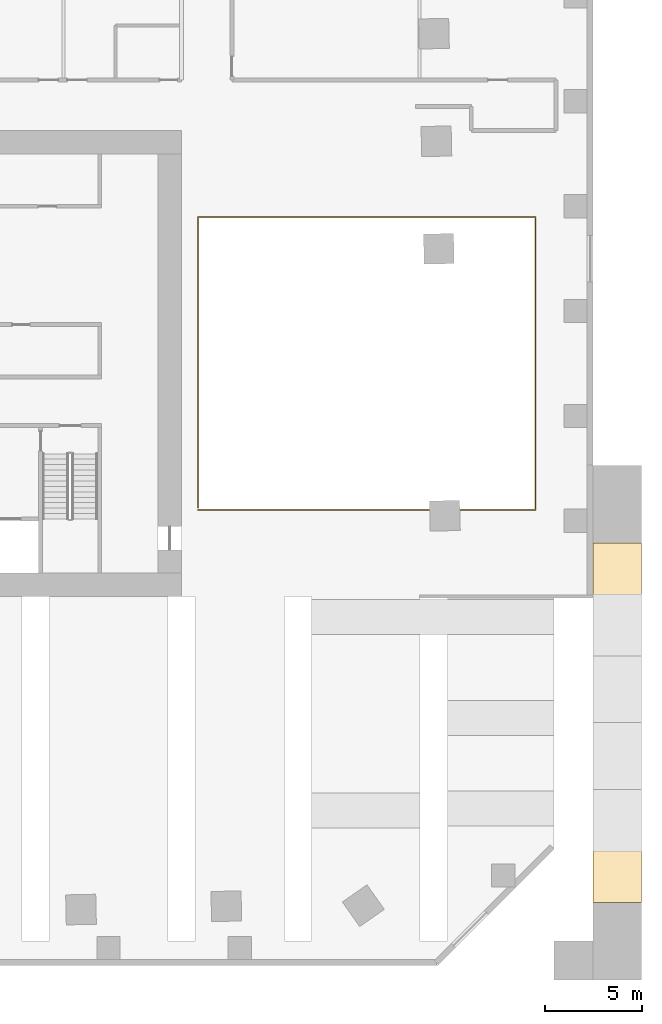
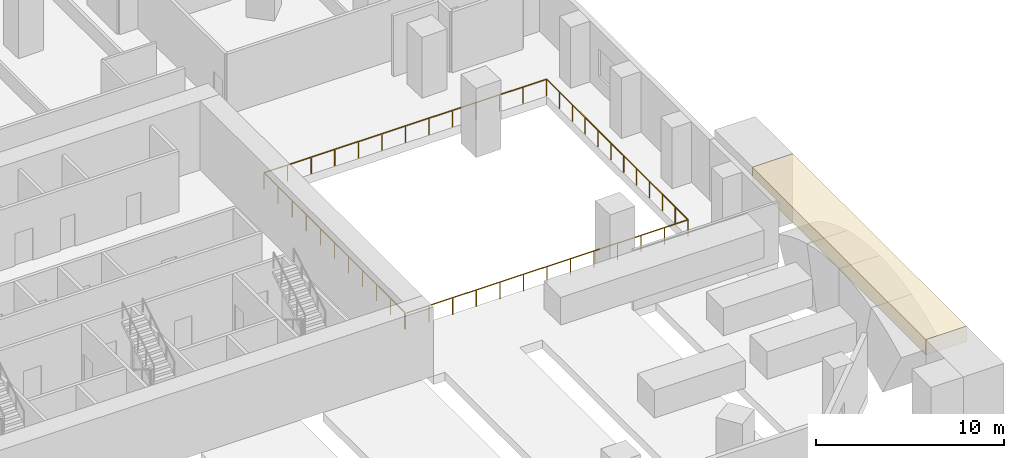
# One storey, part 13 of 13: 1 covering, 1 railing.
"""IFC4 building model written with IfcOpenShell, lengths in metres."""

from ifc_helpers import new_model, si_unit, direction, frame, frame_2d, origin, origin_2d, place, context, subcontext, project, spatial, rectangle, extrude, material, layer, layer_set, type_object, element, save


model = new_model("IFC4")

# Units and contexts
model_context = context("Model", 3, precision=1e-05, world=origin(), true_north=direction((0.0, 1.0)))
body_context = subcontext(model_context, "Body", "Model", "MODEL_VIEW")
ifc_project = project(units=[si_unit("LENGTHUNIT", "METRE"), si_unit("AREAUNIT", "SQUARE_METRE"), si_unit("VOLUMEUNIT", "CUBIC_METRE"), si_unit("PLANEANGLEUNIT", "RADIAN"), si_unit("MASSUNIT", "GRAM", prefix="KILO")], contexts=[model_context])

# Site, building, storey
site_placement = place(None, origin())
site = spatial("IfcSite", under=ifc_project, at=site_placement, CompositionType="ELEMENT")
building_placement = place(site_placement, origin())
building = spatial("IfcBuilding", under=site, at=building_placement, Name="Mangrove Gate Tower", CompositionType="ELEMENT")
storey_placement = place(building_placement, frame((0.0, 0.0, 20.5)))
storey = spatial("IfcBuildingStorey", under=building, at=storey_placement, Name="L04", CompositionType="ELEMENT", Elevation=20.5)

# Railing
ifc_material_1 = material(Name="Stainless steel grade 316 with laminated glass infill", Category="steel")
railing_type = type_object("IfcRailingType", Name="Balcony guard 1100", PredefinedType="GUARDRAIL", material=ifc_material_1)
railing_placement = place(storey_placement, frame((15.860107421875, -7.5400390625, 0.0)))
element("IfcRailing", 1, at=railing_placement, inside=storey, type_object=railing_type, Name="GUARD L04 atrium", PredefinedType="GUARDRAIL", context=body_context, shape_type="SweptSolid", body=[
    extrude(rectangle(XDim=0.048095703125, YDim=0.048095703125, at=origin_2d()), frame((0.0, 0.0, 1.076171875), z_axis=(1.0, 0.0, 0.0), x_axis=(0.0, 1.0, 0.0)), (0.0, 0.0, 1.0), 17.3798828125),
    extrude(rectangle(XDim=0.048095703125, YDim=0.048095703125, at=origin_2d()), frame((17.3798828125, 0.0, 1.076171875), z_axis=(0.0, 1.0, 0.0), x_axis=(-1.0, 0.0, 0.0)), (0.0, 0.0, 1.0), 15.080078125),
    extrude(rectangle(XDim=0.048095703125, YDim=0.048095703125, at=origin_2d()), frame((17.3798828125, 15.080078125, 1.076171875), z_axis=(-1.0, 0.0, 0.0), x_axis=(0.0, -1.0, 0.0)), (0.0, 0.0, 1.0), 17.3798828125),
    extrude(rectangle(XDim=0.048095703125, YDim=0.048095703125, at=origin_2d()), frame((0.0, 15.080078125, 1.076171875), z_axis=(0.0, -1.0, 0.0), x_axis=(1.0, 0.0, 0.0)), (0.0, 0.0, 1.0), 14.9599609375),
    extrude(rectangle(XDim=0.0419921875, YDim=0.0419921875, at=origin_2d()), origin(), (0.0, 0.0, 1.0), 1.052001953125),
    extrude(rectangle(XDim=0.0419921875, YDim=0.0419921875, at=origin_2d()), frame((1.4482421875, 0.0, 0.0)), (0.0, 0.0, 1.0), 1.052001953125),
    extrude(rectangle(XDim=0.0419921875, YDim=0.0419921875, at=origin_2d()), frame((2.896728515625, 0.0, 0.0)), (0.0, 0.0, 1.0), 1.052001953125),
    extrude(rectangle(XDim=0.0419921875, YDim=0.0419921875, at=origin_2d()), frame((4.344970703125, 0.0, 0.0)), (0.0, 0.0, 1.0), 1.052001953125),
    extrude(rectangle(XDim=0.0419921875, YDim=0.0419921875, at=origin_2d()), frame((5.793212890625, 0.0, 0.0)), (0.0, 0.0, 1.0), 1.052001953125),
    extrude(rectangle(XDim=0.0419921875, YDim=0.0419921875, at=origin_2d()), frame((7.24169921875, 0.0, 0.0)), (0.0, 0.0, 1.0), 1.052001953125),
    extrude(rectangle(XDim=0.0419921875, YDim=0.0419921875, at=origin_2d()), frame((8.68994140625, 0.0, 0.0)), (0.0, 0.0, 1.0), 1.052001953125),
    extrude(rectangle(XDim=0.0419921875, YDim=0.0419921875, at=origin_2d()), frame((10.13818359375, 0.0, 0.0)), (0.0, 0.0, 1.0), 1.052001953125),
    extrude(rectangle(XDim=0.0419921875, YDim=0.0419921875, at=origin_2d()), frame((11.586669921875, 0.0, 0.0)), (0.0, 0.0, 1.0), 1.052001953125),
    extrude(rectangle(XDim=0.0419921875, YDim=0.0419921875, at=origin_2d()), frame((13.034912109375, 0.0, 0.0)), (0.0, 0.0, 1.0), 1.052001953125),
    extrude(rectangle(XDim=0.0419921875, YDim=0.0419921875, at=origin_2d()), frame((14.483154296875, 0.0, 0.0)), (0.0, 0.0, 1.0), 1.052001953125),
    extrude(rectangle(XDim=0.0419921875, YDim=0.0419921875, at=origin_2d()), frame((15.931640625, 0.0, 0.0)), (0.0, 0.0, 1.0), 1.052001953125),
    extrude(rectangle(XDim=0.0419921875, YDim=0.0419921875, at=origin_2d()), frame((17.3798828125, 0.0, 0.0)), (0.0, 0.0, 1.0), 1.052001953125),
    extrude(rectangle(XDim=0.0419921875, YDim=0.0419921875, at=origin_2d()), frame((17.3798828125, 1.370849609375, 0.0)), (0.0, 0.0, 1.0), 1.052001953125),
    extrude(rectangle(XDim=0.0419921875, YDim=0.0419921875, at=origin_2d()), frame((17.3798828125, 2.741943359375, 0.0)), (0.0, 0.0, 1.0), 1.052001953125),
    extrude(rectangle(XDim=0.0419921875, YDim=0.0419921875, at=origin_2d()), frame((17.3798828125, 4.11279296875, 0.0)), (0.0, 0.0, 1.0), 1.052001953125),
    extrude(rectangle(XDim=0.0419921875, YDim=0.0419921875, at=origin_2d()), frame((17.3798828125, 5.483642578125, 0.0)), (0.0, 0.0, 1.0), 1.052001953125),
    extrude(rectangle(XDim=0.0419921875, YDim=0.0419921875, at=origin_2d()), frame((17.3798828125, 6.8544921875, 0.0)), (0.0, 0.0, 1.0), 1.052001953125),
    extrude(rectangle(XDim=0.0419921875, YDim=0.0419921875, at=origin_2d()), frame((17.3798828125, 8.2255859375, 0.0)), (0.0, 0.0, 1.0), 1.052001953125),
    extrude(rectangle(XDim=0.0419921875, YDim=0.0419921875, at=origin_2d()), frame((17.3798828125, 9.596435546875, 0.0)), (0.0, 0.0, 1.0), 1.052001953125),
    extrude(rectangle(XDim=0.0419921875, YDim=0.0419921875, at=origin_2d()), frame((17.3798828125, 10.96728515625, 0.0)), (0.0, 0.0, 1.0), 1.052001953125),
    extrude(rectangle(XDim=0.0419921875, YDim=0.0419921875, at=origin_2d()), frame((17.3798828125, 12.338134765625, 0.0)), (0.0, 0.0, 1.0), 1.052001953125),
    extrude(rectangle(XDim=0.0419921875, YDim=0.0419921875, at=origin_2d()), frame((17.3798828125, 13.709228515625, 0.0)), (0.0, 0.0, 1.0), 1.052001953125),
    extrude(rectangle(XDim=0.0419921875, YDim=0.0419921875, at=origin_2d()), frame((17.3798828125, 15.080078125, 0.0)), (0.0, 0.0, 1.0), 1.052001953125),
    extrude(rectangle(XDim=0.0419921875, YDim=0.0419921875, at=origin_2d()), frame((15.931640625, 15.080078125, 0.0)), (0.0, 0.0, 1.0), 1.052001953125),
    extrude(rectangle(XDim=0.0419921875, YDim=0.0419921875, at=origin_2d()), frame((14.483154296875, 15.080078125, 0.0)), (0.0, 0.0, 1.0), 1.052001953125),
    extrude(rectangle(XDim=0.0419921875, YDim=0.0419921875, at=origin_2d()), frame((13.034912109375, 15.080078125, 0.0)), (0.0, 0.0, 1.0), 1.052001953125),
    extrude(rectangle(XDim=0.0419921875, YDim=0.0419921875, at=origin_2d()), frame((11.586669921875, 15.080078125, 0.0)), (0.0, 0.0, 1.0), 1.052001953125),
    extrude(rectangle(XDim=0.0419921875, YDim=0.0419921875, at=origin_2d()), frame((10.13818359375, 15.080078125, 0.0)), (0.0, 0.0, 1.0), 1.052001953125),
    extrude(rectangle(XDim=0.0419921875, YDim=0.0419921875, at=origin_2d()), frame((8.68994140625, 15.080078125, 0.0)), (0.0, 0.0, 1.0), 1.052001953125),
    extrude(rectangle(XDim=0.0419921875, YDim=0.0419921875, at=origin_2d()), frame((7.24169921875, 15.080078125, 0.0)), (0.0, 0.0, 1.0), 1.052001953125),
    extrude(rectangle(XDim=0.0419921875, YDim=0.0419921875, at=origin_2d()), frame((5.793212890625, 15.080078125, 0.0)), (0.0, 0.0, 1.0), 1.052001953125),
    extrude(rectangle(XDim=0.0419921875, YDim=0.0419921875, at=origin_2d()), frame((4.344970703125, 15.080078125, 0.0)), (0.0, 0.0, 1.0), 1.052001953125),
    extrude(rectangle(XDim=0.0419921875, YDim=0.0419921875, at=origin_2d()), frame((2.896728515625, 15.080078125, 0.0)), (0.0, 0.0, 1.0), 1.052001953125),
    extrude(rectangle(XDim=0.0419921875, YDim=0.0419921875, at=origin_2d()), frame((1.4482421875, 15.080078125, 0.0)), (0.0, 0.0, 1.0), 1.052001953125),
    extrude(rectangle(XDim=0.0419921875, YDim=0.0419921875, at=origin_2d()), frame((0.0, 15.080078125, 0.0)), (0.0, 0.0, 1.0), 1.052001953125),
    extrude(rectangle(XDim=0.0419921875, YDim=0.0419921875, at=origin_2d()), frame((0.0, 13.583984375, 0.0)), (0.0, 0.0, 1.0), 1.052001953125),
    extrude(rectangle(XDim=0.0419921875, YDim=0.0419921875, at=origin_2d()), frame((0.0, 12.088134765625, 0.0)), (0.0, 0.0, 1.0), 1.052001953125),
    extrude(rectangle(XDim=0.0419921875, YDim=0.0419921875, at=origin_2d()), frame((0.0, 10.592041015625, 0.0)), (0.0, 0.0, 1.0), 1.052001953125),
    extrude(rectangle(XDim=0.0419921875, YDim=0.0419921875, at=origin_2d()), frame((0.0, 9.09619140625, 0.0)), (0.0, 0.0, 1.0), 1.052001953125),
    extrude(rectangle(XDim=0.0419921875, YDim=0.0419921875, at=origin_2d()), frame((0.0, 7.60009765625, 0.0)), (0.0, 0.0, 1.0), 1.052001953125),
    extrude(rectangle(XDim=0.0419921875, YDim=0.0419921875, at=origin_2d()), frame((0.0, 6.10400390625, 0.0)), (0.0, 0.0, 1.0), 1.052001953125),
    extrude(rectangle(XDim=0.0419921875, YDim=0.0419921875, at=origin_2d()), frame((0.0, 4.608154296875, 0.0)), (0.0, 0.0, 1.0), 1.052001953125),
    extrude(rectangle(XDim=0.0419921875, YDim=0.0419921875, at=origin_2d()), frame((0.0, 3.112060546875, 0.0)), (0.0, 0.0, 1.0), 1.052001953125),
    extrude(rectangle(XDim=0.0419921875, YDim=0.0419921875, at=origin_2d()), frame((0.0, 1.6162109375, 0.0)), (0.0, 0.0, 1.0), 1.052001953125),
    extrude(rectangle(XDim=0.0419921875, YDim=0.0419921875, at=origin_2d()), frame((0.0, 0.1201171875, 0.0)), (0.0, 0.0, 1.0), 1.052001953125),
])

# Covering
ifc_material_2 = material(Name="Limestone", Category="masonry")
ifc_layer_1 = layer(ifc_material_2, 0.06005859375, Name="Limestone cladding")
ifc_material_3 = material(Name="Concrete C40/50", Category="concrete")
ifc_layer_2 = layer(ifc_material_3, 2.340087890625, Name="Gate core wall")
ifc_layer_3 = layer(ifc_material_2, 0.10009765625, Name="Limestone reveal lining")
ifc_layer_set = layer_set([ifc_layer_1, ifc_layer_2, ifc_layer_3], Name="Stone gate head cladding 2500")
covering_type = type_object("IfcCoveringType", Name="Stone gate head cladding 2500", PredefinedType="CLADDING", material=ifc_layer_set)
covering_placement = place(storey_placement, frame((37.449951171875, -27.75, 3.5), z_axis=(0.0, 0.0, 1.0), x_axis=(0.0, 1.0, 0.0)))
element("IfcCovering", 2, at=covering_placement, inside=storey, type_object=covering_type, Name="ARCH LINTEL E", PredefinedType="CLADDING", context=body_context, shape_type="SweptSolid", body=[
    extrude(rectangle(XDim=18.5, YDim=2.5, at=frame_2d((9.25, 0.0))), origin(), (0.0, 0.0, 1.0), 1.0),
])

save(model, "model.ifc")
